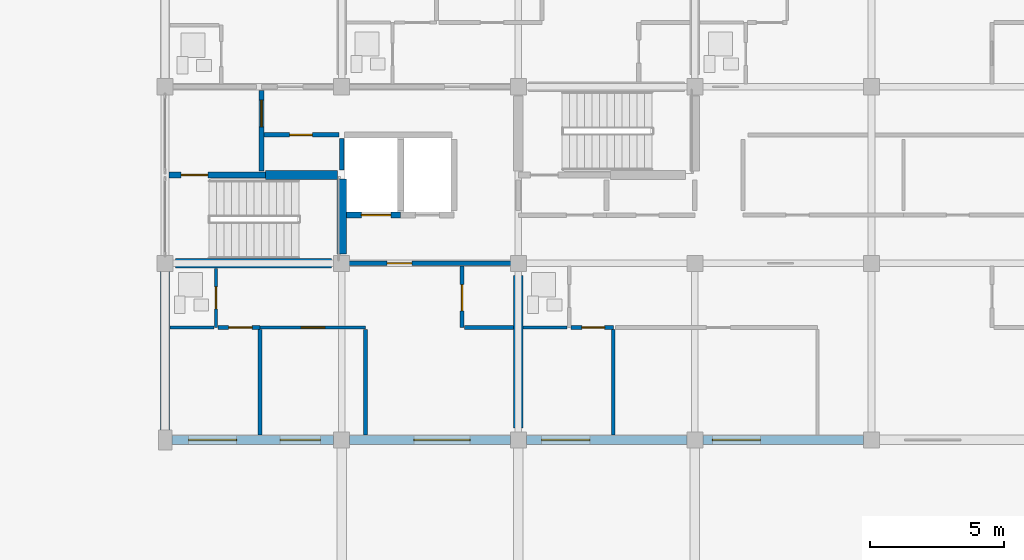
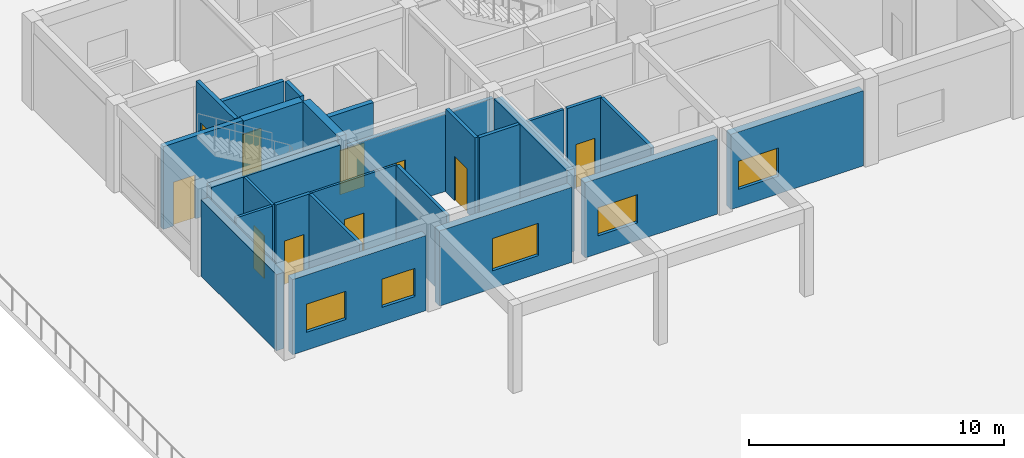
# One storey, part 71 of 92: 26 walls, 10 doors, 5 windows, 15 openings.
"""IFC4 building model written with IfcOpenShell, lengths in metres."""

from ifc_helpers import new_model, si_unit, direction, frame, frame_2d, origin, place, context, subcontext, project, spatial, rectangle, extrude, material, layer, layer_set, type_object, element, fill, save


model = new_model("IFC4")

# Units and contexts
model_context = context("Model", 3, precision=1e-05, world=origin(), true_north=direction((0.0, 1.0)))
body_context = subcontext(model_context, "Body", "Model", "MODEL_VIEW")
ifc_project = project(units=[si_unit("LENGTHUNIT", "METRE"), si_unit("AREAUNIT", "SQUARE_METRE"), si_unit("VOLUMEUNIT", "CUBIC_METRE"), si_unit("PLANEANGLEUNIT", "RADIAN"), si_unit("MASSUNIT", "GRAM", prefix="KILO")], contexts=[model_context])

# Site, building, storey
site_placement = place(None, origin())
site = spatial("IfcSite", under=ifc_project, at=site_placement, CompositionType="ELEMENT")
building_placement = place(site_placement, origin())
building = spatial("IfcBuilding", under=site, at=building_placement, Name="Kernevlak Ridge Housing Community", CompositionType="ELEMENT")
storey_placement = place(building_placement, frame((0.0, 0.0, 4.199951171875)))
storey = spatial("IfcBuildingStorey", under=building, at=storey_placement, Name="L01", CompositionType="ELEMENT", Elevation=4.199951171875)

# Wall, openings, windows
ifc_material_1 = material(Name="Concrete block masonry M10", Category="masonry")
ifc_layer_1 = layer(ifc_material_1, 0.340087890625, Name="Concrete block masonry M10")
ifc_layer_set_1 = layer_set([ifc_layer_1], Name="Concrete block masonry M10")
wall_type_1 = type_object("IfcWallType", Name="EW-04", PredefinedType="STANDARD", material=ifc_layer_set_1)
wall_1_placement = place(storey_placement, frame((15.85009765625, 76.0, 0.0), z_axis=(0.0, 0.0, 1.0), x_axis=(1.0, 0.0, 0.0)))
wall_1 = element("IfcWall", 1, at=wall_1_placement, inside=storey, type_object=wall_type_1, Name="Exterior wall EW-04 L01 15", PredefinedType="STANDARD", context=body_context, shape_type="SweptSolid", body=[
    extrude(rectangle(XDim=6.0498046875, YDim=0.340087890625, at=frame_2d((3.02490234375, 0.0))), origin(), (0.0, 0.0, 1.0), 3.60009765625),
])
opening_1_placement = place(wall_1_placement, frame((0.625, 0.0, 0.85009765625)))
opening_1 = element("IfcOpeningElement", 2, at=opening_1_placement, cuts=wall_1, Name="Opening WT-03", PredefinedType="OPENING", context=body_context, shape_type="SweptSolid", body=[
    extrude(rectangle(XDim=1.800048828125, YDim=1.35009765625, at=frame_2d((0.89990234375, 0.675048828125))), frame((0.0, 0.179931640625, 0.0), z_axis=(0.0, -1.0, 0.0), x_axis=(1.0, 0.0, 0.0)), (0.0, 0.0, 1.0), 0.360107421875),
])
opening_2_placement = place(wall_1_placement, frame((4.050048828125, 0.0, 0.85009765625)))
opening_2 = element("IfcOpeningElement", 3, at=opening_2_placement, cuts=wall_1, Name="Opening WT-02", PredefinedType="OPENING", context=body_context, shape_type="SweptSolid", body=[
    extrude(rectangle(XDim=1.5, YDim=1.35009765625, at=frame_2d((0.75, 0.675048828125))), frame((0.0, 0.179931640625, 0.0), z_axis=(0.0, -1.0, 0.0), x_axis=(1.0, 0.0, 0.0)), (0.0, 0.0, 1.0), 0.360107421875),
])
ifc_material_2 = material(Name="Aluminium EN AW-6060 anodised and laminated glass", Category="aluminium")
window_type_1 = type_object("IfcWindowType", Name="WT-02", PartitioningType="SINGLE_PANEL", PredefinedType="WINDOW", material=ifc_material_2)
window_1_placement = place(opening_2_placement, origin())
window_1 = element("IfcWindow", 4, at=window_1_placement, inside=storey, type_object=window_type_1, Name="Window WT-02 L01 11", OverallHeight=1.35009765625, OverallWidth=1.5, PartitioningType="SINGLE_PANEL", PredefinedType="WINDOW", context=body_context, shape_type="SweptSolid", body=[
    extrude(rectangle(XDim=1.5, YDim=1.35009765625, at=frame_2d((0.75, 0.675048828125))), frame((0.0, 0.030029296875, 0.0), z_axis=(0.0, -1.0, 0.0), x_axis=(1.0, 0.0, 0.0)), (0.0, 0.0, 1.0), 0.06005859375),
])
fill(opening_2, window_1)
window_type_2 = type_object("IfcWindowType", Name="WT-03", PartitioningType="SINGLE_PANEL", PredefinedType="WINDOW", material=ifc_material_2)
window_2_placement = place(opening_1_placement, origin())
window_2 = element("IfcWindow", 5, at=window_2_placement, inside=storey, type_object=window_type_2, Name="Window WT-03 L01 10", OverallHeight=1.35009765625, OverallWidth=1.800048828125, PartitioningType="SINGLE_PANEL", PredefinedType="WINDOW", context=body_context, shape_type="SweptSolid", body=[
    extrude(rectangle(XDim=1.800048828125, YDim=1.35009765625, at=frame_2d((0.89990234375, 0.675048828125))), frame((0.0, 0.030029296875, 0.0), z_axis=(0.0, -1.0, 0.0), x_axis=(1.0, 0.0, 0.0)), (0.0, 0.0, 1.0), 0.06005859375),
])
fill(opening_1, window_2)

# Wall, opening, window
wall_2_placement = place(storey_placement, frame((22.5, 76.0, 0.0), z_axis=(0.0, 0.0, 1.0), x_axis=(1.0, 0.0, 0.0)))
wall_2 = element("IfcWall", 6, at=wall_2_placement, inside=storey, type_object=wall_type_1, Name="Exterior wall EW-04 L01 16", PredefinedType="STANDARD", context=body_context, shape_type="SweptSolid", body=[
    extrude(rectangle(XDim=6.0, YDim=0.340087890625, at=frame_2d((3.0, 0.0))), origin(), (0.0, 0.0, 1.0), 3.60009765625),
])
opening_3_placement = place(wall_2_placement, frame((2.39599609375, 0.0, 0.85009765625)))
opening_3 = element("IfcOpeningElement", 7, at=opening_3_placement, cuts=wall_2, Name="Opening WT-05", PredefinedType="OPENING", context=body_context, shape_type="SweptSolid", body=[
    extrude(rectangle(XDim=2.10009765625, YDim=1.550048828125, at=frame_2d((1.050048828125, 0.77490234375))), frame((0.0, 0.179931640625, 0.0), z_axis=(0.0, -1.0, 0.0), x_axis=(1.0, 0.0, 0.0)), (0.0, 0.0, 1.0), 0.360107421875),
])
window_type_3 = type_object("IfcWindowType", Name="WT-05", PartitioningType="SINGLE_PANEL", PredefinedType="WINDOW", material=ifc_material_2)
window_3_placement = place(opening_3_placement, origin())
window_3 = element("IfcWindow", 8, at=window_3_placement, inside=storey, type_object=window_type_3, Name="Window WT-05 L01 12", OverallHeight=1.550048828125, OverallWidth=2.10009765625, PartitioningType="SINGLE_PANEL", PredefinedType="WINDOW", context=body_context, shape_type="SweptSolid", body=[
    extrude(rectangle(XDim=2.10009765625, YDim=1.550048828125, at=frame_2d((1.050048828125, 0.77490234375))), frame((0.0, 0.030029296875, 0.0), z_axis=(0.0, -1.0, 0.0), x_axis=(1.0, 0.0, 0.0)), (0.0, 0.0, 1.0), 0.06005859375),
])
fill(opening_3, window_3)

wall_3_placement = place(storey_placement, frame((29.10009765625, 76.0, 0.0), z_axis=(0.0, 0.0, 1.0), x_axis=(1.0, 0.0, 0.0)))
wall_3 = element("IfcWall", 9, at=wall_3_placement, inside=storey, type_object=wall_type_1, Name="Exterior wall EW-04 L01 17", PredefinedType="STANDARD", context=body_context, shape_type="SweptSolid", body=[
    extrude(rectangle(XDim=6.0, YDim=0.340087890625, at=frame_2d((3.0, 0.0))), origin(), (0.0, 0.0, 1.0), 3.60009765625),
])
opening_4_placement = place(wall_3_placement, frame((0.574951171875, 0.0, 0.85009765625)))
opening_4 = element("IfcOpeningElement", 10, at=opening_4_placement, cuts=wall_3, Name="Opening WT-03", PredefinedType="OPENING", context=body_context, shape_type="SweptSolid", body=[
    extrude(rectangle(XDim=1.800048828125, YDim=1.35009765625, at=frame_2d((0.89990234375, 0.675048828125))), frame((0.0, 0.179931640625, 0.0), z_axis=(0.0, -1.0, 0.0), x_axis=(1.0, 0.0, 0.0)), (0.0, 0.0, 1.0), 0.360107421875),
])
window_4_placement = place(opening_4_placement, origin())
window_4 = element("IfcWindow", 11, at=window_4_placement, inside=storey, type_object=window_type_2, Name="Window WT-03 L01 13", OverallHeight=1.35009765625, OverallWidth=1.800048828125, PartitioningType="SINGLE_PANEL", PredefinedType="WINDOW", context=body_context, shape_type="SweptSolid", body=[
    extrude(rectangle(XDim=1.800048828125, YDim=1.35009765625, at=frame_2d((0.89990234375, 0.675048828125))), frame((0.0, 0.030029296875, 0.0), z_axis=(0.0, -1.0, 0.0), x_axis=(1.0, 0.0, 0.0)), (0.0, 0.0, 1.0), 0.06005859375),
])
fill(opening_4, window_4)

wall_4_placement = place(storey_placement, frame((35.699951171875, 76.0, 0.0), z_axis=(0.0, 0.0, 1.0), x_axis=(1.0, 0.0, 0.0)))
wall_4 = element("IfcWall", 12, at=wall_4_placement, inside=storey, type_object=wall_type_1, Name="Exterior wall EW-04 L01 18", PredefinedType="STANDARD", context=body_context, shape_type="SweptSolid", body=[
    extrude(rectangle(XDim=6.0, YDim=0.340087890625, at=frame_2d((3.0, 0.0))), origin(), (0.0, 0.0, 1.0), 3.60009765625),
])
opening_5_placement = place(wall_4_placement, frame((0.35009765625, 0.0, 0.85009765625)))
opening_5 = element("IfcOpeningElement", 13, at=opening_5_placement, cuts=wall_4, Name="Opening WT-03", PredefinedType="OPENING", context=body_context, shape_type="SweptSolid", body=[
    extrude(rectangle(XDim=1.800048828125, YDim=1.35009765625, at=frame_2d((0.89990234375, 0.675048828125))), frame((0.0, 0.179931640625, 0.0), z_axis=(0.0, -1.0, 0.0), x_axis=(1.0, 0.0, 0.0)), (0.0, 0.0, 1.0), 0.360107421875),
])
window_5_placement = place(opening_5_placement, origin())
window_5 = element("IfcWindow", 14, at=window_5_placement, inside=storey, type_object=window_type_2, Name="Window WT-03 L01 14", OverallHeight=1.35009765625, OverallWidth=1.800048828125, PartitioningType="SINGLE_PANEL", PredefinedType="WINDOW", context=body_context, shape_type="SweptSolid", body=[
    extrude(rectangle(XDim=1.800048828125, YDim=1.35009765625, at=frame_2d((0.89990234375, 0.675048828125))), frame((0.0, 0.030029296875, 0.0), z_axis=(0.0, -1.0, 0.0), x_axis=(1.0, 0.0, 0.0)), (0.0, 0.0, 1.0), 0.06005859375),
])
fill(opening_5, window_5)

# Wall
wall_5_placement = place(storey_placement, frame((15.60009765625, 76.375, 0.0), z_axis=(0.0, 0.0, 1.0), x_axis=(0.0, 1.0, 0.0)))
element("IfcWall", 15, at=wall_5_placement, inside=storey, type_object=wall_type_1, Name="Exterior wall EW-04 L01 25", PredefinedType="STANDARD", context=body_context, shape_type="SweptSolid", body=[
    extrude(rectangle(XDim=5.925048828125, YDim=0.340087890625, at=frame_2d((2.96240234375, 0.0))), origin(), (0.0, 0.0, 1.0), 3.650146484375),
])

# Wall, opening, door
ifc_material_3 = material(Name="Concrete C35/45", Category="concrete")
ifc_layer_2 = layer(ifc_material_3, 0.22509765625, Name="Concrete C35/45")
ifc_layer_set_2 = layer_set([ifc_layer_2], Name="Concrete C35/45")
wall_type_2 = type_object("IfcWallType", Name="PW-01", PredefinedType="STANDARD", material=ifc_layer_set_2)
wall_6_placement = place(storey_placement, frame((15.75, 85.89990234375, 0.0), z_axis=(0.0, 0.0, 1.0), x_axis=(1.0, 0.0, 0.0)))
wall_6 = element("IfcWall", 16, at=wall_6_placement, inside=storey, type_object=wall_type_2, Name="Interior wall PW-01 WAL-INT-L01-0073", PredefinedType="STANDARD", context=body_context, shape_type="SweptSolid", body=[
    extrude(rectangle(XDim=3.60009765625, YDim=0.22509765625, at=frame_2d((1.800048828125, 0.0))), origin(), (0.0, 0.0, 1.0), 3.9599609375),
])
opening_6_placement = place(wall_6_placement, frame((0.449951171875, 0.0, 0.0)))
opening_6 = element("IfcOpeningElement", 17, at=opening_6_placement, cuts=wall_6, Name="Opening D036", PredefinedType="OPENING", context=body_context, shape_type="SweptSolid", body=[
    extrude(rectangle(XDim=1.0, YDim=2.10009765625, at=frame_2d((0.5, 1.050048828125))), frame((0.0, 0.12255859375, 0.0), z_axis=(0.0, -1.0, 0.0), x_axis=(1.0, 0.0, 0.0)), (0.0, 0.0, 1.0), 0.2451171875),
])
ifc_material_4 = material(Name="Fire-rated sheet steel leaf", Category="steel")
door_type_1 = type_object("IfcDoorType", Name="DT-05", OperationType="NOTDEFINED", PredefinedType="DOOR", material=ifc_material_4)
door_1_placement = place(opening_6_placement, origin())
door_1 = element("IfcDoor", 18, at=door_1_placement, inside=storey, type_object=door_type_1, Name="Block A Stair 1 fire door D036", OperationType="SINGLE_SWING_RIGHT", OverallHeight=2.10009765625, OverallWidth=1.0, PredefinedType="DOOR", context=body_context, shape_type="SweptSolid", body=[
    extrude(rectangle(XDim=1.0, YDim=2.10009765625, at=frame_2d((0.5, 1.050048828125))), frame((0.0, 0.02490234375, 0.0), z_axis=(0.0, -1.0, 0.0), x_axis=(1.0, 0.0, 0.0)), (0.0, 0.0, 1.0), 0.050048828125),
])
fill(opening_6, door_1)

wall_7_placement = place(storey_placement, frame((22.385009765625, 84.39990234375, 0.0), z_axis=(0.0, 0.0, 1.0), x_axis=(1.0, 0.0, 0.0)))
wall_7 = element("IfcWall", 19, at=wall_7_placement, inside=storey, type_object=wall_type_2, Name="Interior wall PW-01 WAL-INT-L01-0077", PredefinedType="STANDARD", context=body_context, shape_type="SweptSolid", body=[
    extrude(rectangle(XDim=2.014892578125, YDim=0.22509765625, at=frame_2d((1.00732421875, 0.0))), origin(), (0.0, 0.0, 1.0), 3.9599609375),
])
opening_7_placement = place(wall_7_placement, frame((0.550048828125, 0.0, 0.0)))
opening_7 = element("IfcOpeningElement", 20, at=opening_7_placement, cuts=wall_7, Name="Opening LD04", PredefinedType="OPENING", context=body_context, shape_type="SweptSolid", body=[
    extrude(rectangle(XDim=1.10009765625, YDim=2.10009765625, at=frame_2d((0.550048828125, 1.050048828125))), frame((0.0, 0.12255859375, 0.0), z_axis=(0.0, -1.0, 0.0), x_axis=(1.0, 0.0, 0.0)), (0.0, 0.0, 1.0), 0.2451171875),
])
ifc_material_5 = material(Name="Stainless steel EN 1.4401", Category="steel")
door_type_2 = type_object("IfcDoorType", Name="DT-LD1", OperationType="DOUBLE_DOOR_SLIDING", PredefinedType="DOOR", material=ifc_material_5)
door_2_placement = place(opening_7_placement, origin())
door_2 = element("IfcDoor", 21, at=door_2_placement, inside=storey, type_object=door_type_2, Name="Lift LF-A1 landing door LD04", OperationType="DOUBLE_DOOR_SLIDING", OverallHeight=2.10009765625, OverallWidth=1.10009765625, PredefinedType="DOOR", context=body_context, shape_type="SweptSolid", body=[
    extrude(rectangle(XDim=1.10009765625, YDim=2.10009765625, at=frame_2d((0.550048828125, 1.050048828125))), frame((0.0, 0.02490234375, 0.0), z_axis=(0.0, -1.0, 0.0), x_axis=(1.0, 0.0, 0.0)), (0.0, 0.0, 1.0), 0.050048828125),
])
fill(opening_7, door_2)

ifc_layer_3 = layer(ifc_material_1, 0.175048828125, Name="Concrete block masonry M10")
ifc_layer_set_3 = layer_set([ifc_layer_3], Name="Concrete block masonry M10")
wall_type_3 = type_object("IfcWallType", Name="PW-02", PredefinedType="PARTITIONING", material=ifc_layer_set_3)
wall_8_placement = place(storey_placement, frame((19.199951171875, 86.050048828125, 0.0), z_axis=(0.0, 0.0, 1.0), x_axis=(0.0, 1.0, 0.0)))
wall_8 = element("IfcWall", 22, at=wall_8_placement, inside=storey, type_object=wall_type_3, Name="Interior wall PW-02 WAL-INT-L01-0074", PredefinedType="PARTITIONING", context=body_context, shape_type="SweptSolid", body=[
    extrude(rectangle(XDim=3.0, YDim=0.175048828125, at=frame_2d((1.5, 0.0))), origin(), (0.0, 0.0, 1.0), 3.9599609375),
])
opening_8_placement = place(wall_8_placement, frame((1.64990234375, 0.0, 0.0)))
opening_8 = element("IfcOpeningElement", 23, at=opening_8_placement, cuts=wall_8, Name="Opening D037", PredefinedType="OPENING", context=body_context, shape_type="SweptSolid", body=[
    extrude(rectangle(XDim=1.0, YDim=2.159912109375, at=frame_2d((0.5, 1.080078125))), frame((0.0, 0.097412109375, 0.0), z_axis=(0.0, -1.0, 0.0), x_axis=(1.0, 0.0, 0.0)), (0.0, 0.0, 1.0), 0.195068359375),
])
door_type_3 = type_object("IfcDoorType", Name="DT-15", OperationType="NOTDEFINED", PredefinedType="DOOR", material=ifc_material_4)
door_3_placement = place(opening_8_placement, origin())
door_3 = element("IfcDoor", 24, at=door_3_placement, inside=storey, type_object=door_type_3, Name="Block A Firefighting lobby 1 door D037", OperationType="SINGLE_SWING_LEFT", OverallHeight=2.159912109375, OverallWidth=1.0, PredefinedType="DOOR", context=body_context, shape_type="SweptSolid", body=[
    extrude(rectangle(XDim=1.0, YDim=2.159912109375, at=frame_2d((0.5, 1.080078125))), frame((0.0, 0.02490234375, 0.0), z_axis=(0.0, -1.0, 0.0), x_axis=(1.0, 0.0, 0.0)), (0.0, 0.0, 1.0), 0.050048828125),
])
fill(opening_8, door_3)

wall_9_placement = place(storey_placement, frame((19.300048828125, 87.39990234375, 0.0), z_axis=(0.0, 0.0, 1.0), x_axis=(1.0, 0.0, 0.0)))
wall_9 = element("IfcWall", 25, at=wall_9_placement, inside=storey, type_object=wall_type_3, Name="Interior wall PW-02 WAL-INT-L01-0075", PredefinedType="PARTITIONING", context=body_context, shape_type="SweptSolid", body=[
    extrude(rectangle(XDim=2.800048828125, YDim=0.175048828125, at=frame_2d((1.39990234375, 0.0))), origin(), (0.0, 0.0, 1.0), 3.9599609375),
])
opening_9_placement = place(wall_9_placement, frame((0.949951171875, 0.0, 0.0)))
opening_9 = element("IfcOpeningElement", 26, at=opening_9_placement, cuts=wall_9, Name="Opening D038", PredefinedType="OPENING", context=body_context, shape_type="SweptSolid", body=[
    extrude(rectangle(XDim=0.85009765625, YDim=2.0, at=frame_2d((0.425048828125, 1.0))), frame((0.0, 0.097412109375, 0.0), z_axis=(0.0, -1.0, 0.0), x_axis=(1.0, 0.0, 0.0)), (0.0, 0.0, 1.0), 0.195068359375),
])
door_type_4 = type_object("IfcDoorType", Name="DT-07", OperationType="NOTDEFINED", PredefinedType="DOOR", material=ifc_material_4)
door_4_placement = place(opening_9_placement, origin())
door_4 = element("IfcDoor", 27, at=door_4_placement, inside=storey, type_object=door_type_4, Name="Block A Riser shaft door D038", OperationType="SINGLE_SWING_RIGHT", OverallHeight=2.0, OverallWidth=0.85009765625, PredefinedType="DOOR", context=body_context, shape_type="SweptSolid", body=[
    extrude(rectangle(XDim=0.85009765625, YDim=2.0, at=frame_2d((0.425048828125, 1.0))), frame((0.0, 0.02490234375, 0.0), z_axis=(0.0, -1.0, 0.0), x_axis=(1.0, 0.0, 0.0)), (0.0, 0.0, 1.0), 0.050048828125),
])
fill(opening_9, door_4)

# Wall
wall_10_placement = place(storey_placement, frame((22.199951171875, 86.080078125, 0.0), z_axis=(0.0, 0.0, 1.0), x_axis=(0.0, 1.0, 0.0)))
element("IfcWall", 28, at=wall_10_placement, inside=storey, type_object=wall_type_3, Name="Interior wall PW-02 WAL-INT-L01-0076", PredefinedType="PARTITIONING", context=body_context, shape_type="SweptSolid", body=[
    extrude(rectangle(XDim=1.18994140625, YDim=0.175048828125, at=frame_2d((0.594970703125, 0.0))), origin(), (0.0, 0.0, 1.0), 3.9599609375),
])

# Wall, opening, door
wall_11_placement = place(storey_placement, frame((22.199951171875, 82.60009765625, 0.0), z_axis=(0.0, 0.0, 1.0), x_axis=(1.0, 0.0, 0.0)))
wall_11 = element("IfcWall", 29, at=wall_11_placement, inside=storey, type_object=wall_type_3, Name="Interior wall PW-02 WAL-INT-L01-0094", PredefinedType="PARTITIONING", context=body_context, shape_type="SweptSolid", body=[
    extrude(rectangle(XDim=6.60009765625, YDim=0.175048828125, at=frame_2d((3.300048828125, 0.0))), origin(), (0.0, 0.0, 1.0), 3.699951171875),
])
opening_10_placement = place(wall_11_placement, frame((1.699951171875, 0.0, 0.0)))
opening_10 = element("IfcOpeningElement", 30, at=opening_10_placement, cuts=wall_11, Name="Opening D044", PredefinedType="OPENING", context=body_context, shape_type="SweptSolid", body=[
    extrude(rectangle(XDim=0.919921875, YDim=2.139892578125, at=frame_2d((0.4599609375, 1.06982421875))), frame((0.0, 0.097412109375, 0.0), z_axis=(0.0, -1.0, 0.0), x_axis=(1.0, 0.0, 0.0)), (0.0, 0.0, 1.0), 0.195068359375),
])
ifc_material_6 = material(Name="Hardwood timber solid-core fire leaf", Category="wood")
door_type_5 = type_object("IfcDoorType", Name="DT-20", OperationType="NOTDEFINED", PredefinedType="DOOR", material=ifc_material_6)
door_5_placement = place(opening_10_placement, origin())
door_5 = element("IfcDoor", 31, at=door_5_placement, inside=storey, type_object=door_type_5, Name="Flat A0111 entrance fire door D044", OperationType="SINGLE_SWING_RIGHT", OverallHeight=2.139892578125, OverallWidth=0.919921875, PredefinedType="DOOR", context=body_context, shape_type="SweptSolid", body=[
    extrude(rectangle(XDim=0.919921875, YDim=2.139892578125, at=frame_2d((0.4599609375, 1.06982421875))), frame((0.0, 0.02490234375, 0.0), z_axis=(0.0, -1.0, 0.0), x_axis=(1.0, 0.0, 0.0)), (0.0, 0.0, 1.0), 0.050048828125),
])
fill(opening_10, door_5)

ifc_layer_4 = layer(ifc_material_1, 0.14501953125, Name="Concrete block masonry M10")
ifc_layer_set_4 = layer_set([ifc_layer_4], Name="Concrete block masonry M10")
wall_type_4 = type_object("IfcWallType", Name="PW-03", PredefinedType="PARTITIONING", material=ifc_layer_set_4)
wall_12_placement = place(storey_placement, frame((17.572509765625, 80.199951171875, 0.0), z_axis=(0.0, 0.0, 1.0), x_axis=(1.0, 0.0, 0.0)))
wall_12 = element("IfcWall", 32, at=wall_12_placement, inside=storey, type_object=wall_type_4, Name="Interior wall PW-03 WAL-INT-L01-0099", PredefinedType="PARTITIONING", context=body_context, shape_type="SweptSolid", body=[
    extrude(rectangle(XDim=1.577392578125, YDim=0.14501953125, at=frame_2d((0.78857421875, 0.0))), origin(), (0.0, 0.0, 1.0), 3.9599609375),
])
opening_11_placement = place(wall_12_placement, frame((0.39990234375, 0.0, 0.0)))
opening_11 = element("IfcOpeningElement", 33, at=opening_11_placement, cuts=wall_12, Name="Opening D047", PredefinedType="OPENING", context=body_context, shape_type="SweptSolid", body=[
    extrude(rectangle(XDim=0.8798828125, YDim=2.10009765625, at=frame_2d((0.43994140625, 1.050048828125))), frame((0.0, 0.08251953125, 0.0), z_axis=(0.0, -1.0, 0.0), x_axis=(1.0, 0.0, 0.0)), (0.0, 0.0, 1.0), 0.1650390625),
])
ifc_material_7 = material(Name="Hardwood timber leaf", Category="wood")
door_type_6 = type_object("IfcDoorType", Name="DT-25", OperationType="NOTDEFINED", PredefinedType="DOOR", material=ifc_material_7)
door_6_placement = place(opening_11_placement, origin())
door_6 = element("IfcDoor", 34, at=door_6_placement, inside=storey, type_object=door_type_6, Name="Flat A0111 bedroom door D047", OperationType="SINGLE_SWING_LEFT", OverallHeight=2.10009765625, OverallWidth=0.8798828125, PredefinedType="DOOR", context=body_context, shape_type="SweptSolid", body=[
    extrude(rectangle(XDim=0.8798828125, YDim=2.10009765625, at=frame_2d((0.43994140625, 1.050048828125))), frame((0.0, 0.02490234375, 0.0), z_axis=(0.0, -1.0, 0.0), x_axis=(1.0, 0.0, 0.0)), (0.0, 0.0, 1.0), 0.050048828125),
])
fill(opening_11, door_6)

# Walls
wall_13_placement = place(storey_placement, frame((19.14990234375, 80.117431640625, 0.0), z_axis=(0.0, 0.0, 1.0), x_axis=(0.0, -1.0, 0.0)))
element("IfcWall", 35, at=wall_13_placement, inside=storey, type_object=wall_type_4, Name="Interior wall PW-03 WAL-INT-L01-0100", PredefinedType="PARTITIONING", context=body_context, shape_type="SweptSolid", body=[
    extrude(rectangle(XDim=3.9375, YDim=0.14501953125, at=frame_2d((1.96875, 0.0))), origin(), (0.0, 0.0, 1.0), 3.9599609375),
])
wall_14_placement = place(storey_placement, frame((23.092041015625, 80.1201171875, 0.0), z_axis=(0.0, 0.0, 1.0), x_axis=(0.0, -1.0, 0.0)))
element("IfcWall", 36, at=wall_14_placement, inside=storey, type_object=wall_type_4, Name="Interior wall PW-03 WAL-INT-L01-0102", PredefinedType="PARTITIONING", context=body_context, shape_type="SweptSolid", body=[
    extrude(rectangle(XDim=3.940185546875, YDim=0.14501953125, at=frame_2d((1.97021484375, 0.0))), origin(), (0.0, 0.0, 1.0), 3.9599609375),
])

# Wall, opening, door
wall_15_placement = place(storey_placement, frame((30.7724609375, 80.199951171875, 0.0), z_axis=(0.0, 0.0, 1.0), x_axis=(1.0, 0.0, 0.0)))
wall_15 = element("IfcWall", 37, at=wall_15_placement, inside=storey, type_object=wall_type_4, Name="Interior wall PW-03 WAL-INT-L01-0108", PredefinedType="PARTITIONING", context=body_context, shape_type="SweptSolid", body=[
    extrude(rectangle(XDim=1.57763671875, YDim=0.14501953125, at=frame_2d((0.788818359375, 0.0))), origin(), (0.0, 0.0, 1.0), 3.9599609375),
])
opening_12_placement = place(wall_15_placement, frame((0.39990234375, 0.0, 0.0)))
opening_12 = element("IfcOpeningElement", 38, at=opening_12_placement, cuts=wall_15, Name="Opening D052", PredefinedType="OPENING", context=body_context, shape_type="SweptSolid", body=[
    extrude(rectangle(XDim=0.85009765625, YDim=2.10009765625, at=frame_2d((0.425048828125, 1.050048828125))), frame((0.0, 0.08251953125, 0.0), z_axis=(0.0, -1.0, 0.0), x_axis=(1.0, 0.0, 0.0)), (0.0, 0.0, 1.0), 0.1650390625),
])
door_type_7 = type_object("IfcDoorType", Name="DT-03", OperationType="NOTDEFINED", PredefinedType="DOOR", material=ifc_material_7)
door_7_placement = place(opening_12_placement, origin())
door_7 = element("IfcDoor", 39, at=door_7_placement, inside=storey, type_object=door_type_7, Name="Flat A0112 bedroom door D052", OperationType="SINGLE_SWING_RIGHT", OverallHeight=2.10009765625, OverallWidth=0.85009765625, PredefinedType="DOOR", context=body_context, shape_type="SweptSolid", body=[
    extrude(rectangle(XDim=0.85009765625, YDim=2.10009765625, at=frame_2d((0.425048828125, 1.050048828125))), frame((0.0, 0.02490234375, 0.0), z_axis=(0.0, -1.0, 0.0), x_axis=(1.0, 0.0, 0.0)), (0.0, 0.0, 1.0), 0.050048828125),
])
fill(opening_12, door_7)

# Wall
wall_16_placement = place(storey_placement, frame((32.35009765625, 80.117431640625, 0.0), z_axis=(0.0, 0.0, 1.0), x_axis=(0.0, -1.0, 0.0)))
element("IfcWall", 40, at=wall_16_placement, inside=storey, type_object=wall_type_4, Name="Interior wall PW-03 WAL-INT-L01-0109", PredefinedType="PARTITIONING", context=body_context, shape_type="SweptSolid", body=[
    extrude(rectangle(XDim=3.9375, YDim=0.14501953125, at=frame_2d((1.96875, 0.0))), origin(), (0.0, 0.0, 1.0), 3.9599609375),
])

# Wall, opening, door
ifc_material_8 = material(Name="Gypsum plasterboard EN 520", Category="gypsum")
ifc_layer_5 = layer(ifc_material_8, 0.125, Name="Gypsum plasterboard EN 520")
ifc_layer_set_5 = layer_set([ifc_layer_5], Name="Gypsum plasterboard EN 520")
wall_type_5 = type_object("IfcWallType", Name="PW-04", PredefinedType="PARTITIONING", material=ifc_layer_set_5)
wall_17_placement = place(storey_placement, frame((17.5, 82.4150390625, 0.0), z_axis=(0.0, 0.0, 1.0), x_axis=(0.0, -1.0, 0.0)))
wall_17 = element("IfcWall", 41, at=wall_17_placement, inside=storey, type_object=wall_type_5, Name="Interior wall PW-04 WAL-INT-L01-0095", PredefinedType="PARTITIONING", context=body_context, shape_type="SweptSolid", body=[
    extrude(rectangle(XDim=2.215087890625, YDim=0.125, at=frame_2d((1.107421875, 0.0))), origin(), (0.0, 0.0, 1.0), 3.9599609375),
])
opening_13_placement = place(wall_17_placement, frame((0.699951171875, 0.0, 0.0)))
opening_13 = element("IfcOpeningElement", 42, at=opening_13_placement, cuts=wall_17, Name="Opening D045", PredefinedType="OPENING", context=body_context, shape_type="SweptSolid", body=[
    extrude(rectangle(XDim=0.820068359375, YDim=2.050048828125, at=frame_2d((0.41015625, 1.02490234375))), frame((0.0, 0.072509765625, 0.0), z_axis=(0.0, -1.0, 0.0), x_axis=(1.0, 0.0, 0.0)), (0.0, 0.0, 1.0), 0.14501953125),
])
ifc_material_9 = material(Name="Hardwood timber moisture-resistant leaf", Category="wood")
door_type_8 = type_object("IfcDoorType", Name="DT-30", OperationType="NOTDEFINED", PredefinedType="DOOR", material=ifc_material_9)
door_8_placement = place(opening_13_placement, origin())
door_8 = element("IfcDoor", 43, at=door_8_placement, inside=storey, type_object=door_type_8, Name="Flat A0111 bathroom door D045", OperationType="SINGLE_SWING_LEFT", OverallHeight=2.050048828125, OverallWidth=0.820068359375, PredefinedType="DOOR", context=body_context, shape_type="SweptSolid", body=[
    extrude(rectangle(XDim=0.820068359375, YDim=2.050048828125, at=frame_2d((0.41015625, 1.02490234375))), frame((0.0, 0.02490234375, 0.0), z_axis=(0.0, -1.0, 0.0), x_axis=(1.0, 0.0, 0.0)), (0.0, 0.0, 1.0), 0.050048828125),
])
fill(opening_13, door_8)

# Walls
wall_18_placement = place(storey_placement, frame((15.780029296875, 80.199951171875, 0.0), z_axis=(0.0, 0.0, 1.0), x_axis=(1.0, 0.0, 0.0)))
element("IfcWall", 44, at=wall_18_placement, inside=storey, type_object=wall_type_5, Name="Interior wall PW-04 WAL-INT-L01-0096", PredefinedType="PARTITIONING", context=body_context, shape_type="SweptSolid", body=[
    extrude(rectangle(XDim=1.639892578125, YDim=0.125, at=frame_2d((0.81982421875, 0.0))), origin(), (0.0, 0.0, 1.0), 3.9599609375),
])
wall_19_placement = place(storey_placement, frame((28.985107421875, 80.199951171875, 0.0), z_axis=(0.0, 0.0, 1.0), x_axis=(1.0, 0.0, 0.0)))
element("IfcWall", 45, at=wall_19_placement, inside=storey, type_object=wall_type_5, Name="Interior wall PW-04 WAL-INT-L01-0105", PredefinedType="PARTITIONING", context=body_context, shape_type="SweptSolid", body=[
    extrude(rectangle(XDim=1.635009765625, YDim=0.125, at=frame_2d((0.8173828125, 0.0))), origin(), (0.0, 0.0, 1.0), 3.9599609375),
])

# Wall, opening, door
ifc_layer_6 = layer(ifc_material_8, 0.155029296875, Name="Gypsum plasterboard EN 520")
ifc_layer_set_6 = layer_set([ifc_layer_6], Name="Gypsum plasterboard EN 520")
wall_type_6 = type_object("IfcWallType", Name="PW-05", PredefinedType="PARTITIONING", material=ifc_layer_set_6)
wall_20_placement = place(storey_placement, frame((26.699951171875, 82.50244140625, 0.0), z_axis=(0.0, 0.0, 1.0), x_axis=(0.0, -1.0, 0.0)))
wall_20 = element("IfcWall", 46, at=wall_20_placement, inside=storey, type_object=wall_type_6, Name="Interior wall PW-05 WAL-INT-L01-0097", PredefinedType="PARTITIONING", context=body_context, shape_type="SweptSolid", body=[
    extrude(rectangle(XDim=2.302490234375, YDim=0.155029296875, at=frame_2d((1.1513671875, 0.0))), origin(), (0.0, 0.0, 1.0), 3.9599609375),
])
opening_14_placement = place(wall_20_placement, frame((0.699951171875, 0.0, 0.0)))
opening_14 = element("IfcOpeningElement", 47, at=opening_14_placement, cuts=wall_20, Name="Opening D046", PredefinedType="OPENING", context=body_context, shape_type="SweptSolid", body=[
    extrude(rectangle(XDim=0.97998046875, YDim=2.1201171875, at=frame_2d((0.489990234375, 1.06005859375))), frame((0.0, 0.08740234375, 0.0), z_axis=(0.0, -1.0, 0.0), x_axis=(1.0, 0.0, 0.0)), (0.0, 0.0, 1.0), 0.175048828125),
])
door_type_9 = type_object("IfcDoorType", Name="DT-24", OperationType="NOTDEFINED", PredefinedType="DOOR", material=ifc_material_7)
door_9_placement = place(opening_14_placement, origin())
door_9 = element("IfcDoor", 48, at=door_9_placement, inside=storey, type_object=door_type_9, Name="Flat A0111 kitchen door D046", OperationType="SINGLE_SWING_RIGHT", OverallHeight=2.1201171875, OverallWidth=0.97998046875, PredefinedType="DOOR", context=body_context, shape_type="SweptSolid", body=[
    extrude(rectangle(XDim=0.97998046875, YDim=2.1201171875, at=frame_2d((0.489990234375, 1.06005859375))), frame((0.0, 0.02490234375, 0.0), z_axis=(0.0, -1.0, 0.0), x_axis=(1.0, 0.0, 0.0)), (0.0, 0.0, 1.0), 0.050048828125),
])
fill(opening_14, door_9)

# Wall
wall_21_placement = place(storey_placement, frame((26.78759765625, 80.199951171875, 0.0), z_axis=(0.0, 0.0, 1.0), x_axis=(1.0, 0.0, 0.0)))
element("IfcWall", 49, at=wall_21_placement, inside=storey, type_object=wall_type_6, Name="Interior wall PW-05 WAL-INT-L01-0098", PredefinedType="PARTITIONING", context=body_context, shape_type="SweptSolid", body=[
    extrude(rectangle(XDim=1.827392578125, YDim=0.155029296875, at=frame_2d((0.91357421875, 0.0))), origin(), (0.0, 0.0, 1.0), 3.9599609375),
])

# Wall, opening, door
ifc_layer_7 = layer(ifc_material_8, 0.10498046875, Name="Gypsum plasterboard EN 520")
ifc_layer_set_7 = layer_set([ifc_layer_7], Name="Gypsum plasterboard EN 520")
wall_type_7 = type_object("IfcWallType", Name="PW-06", PredefinedType="PARTITIONING", material=ifc_layer_set_7)
wall_22_placement = place(storey_placement, frame((19.14990234375, 80.199951171875, 0.0), z_axis=(0.0, 0.0, 1.0), x_axis=(1.0, 0.0, 0.0)))
wall_22 = element("IfcWall", 50, at=wall_22_placement, inside=storey, type_object=wall_type_7, Name="Interior wall PW-06 WAL-INT-L01-0101", PredefinedType="PARTITIONING", context=body_context, shape_type="SweptSolid", body=[
    extrude(rectangle(XDim=3.942138671875, YDim=0.10498046875, at=frame_2d((1.97119140625, 0.0))), origin(), (0.0, 0.0, 1.0), 3.9599609375),
])
opening_15_placement = place(wall_22_placement, frame((1.5458984375, 0.0, 0.0)))
opening_15 = element("IfcOpeningElement", 51, at=opening_15_placement, cuts=wall_22, Name="Opening D048", PredefinedType="OPENING", context=body_context, shape_type="SweptSolid", body=[
    extrude(rectangle(XDim=0.8798828125, YDim=2.159912109375, at=frame_2d((0.43994140625, 1.080078125))), frame((0.0, 0.0625, 0.0), z_axis=(0.0, -1.0, 0.0), x_axis=(1.0, 0.0, 0.0)), (0.0, 0.0, 1.0), 0.125),
])
door_type_10 = type_object("IfcDoorType", Name="DT-26", OperationType="NOTDEFINED", PredefinedType="DOOR", material=ifc_material_7)
door_10_placement = place(opening_15_placement, origin())
door_10 = element("IfcDoor", 52, at=door_10_placement, inside=storey, type_object=door_type_10, Name="Flat A0111 bedroom door D048", OperationType="SINGLE_SWING_RIGHT", OverallHeight=2.159912109375, OverallWidth=0.8798828125, PredefinedType="DOOR", context=body_context, shape_type="SweptSolid", body=[
    extrude(rectangle(XDim=0.8798828125, YDim=2.159912109375, at=frame_2d((0.43994140625, 1.080078125))), frame((0.0, 0.02490234375, 0.0), z_axis=(0.0, -1.0, 0.0), x_axis=(1.0, 0.0, 0.0)), (0.0, 0.0, 1.0), 0.050048828125),
])
fill(opening_15, door_10)

# Walls
ifc_material_10 = material(Name="Concrete C40/50", Category="concrete")
ifc_layer_8 = layer(ifc_material_10, 0.35009765625, Name="Concrete C40/50")
ifc_layer_set_8 = layer_set([ifc_layer_8], Name="Concrete C40/50")
wall_type_8 = type_object("IfcWallType", Name="SW-01", PredefinedType="SHEAR", material=ifc_layer_set_8)
wall_23_placement = place(storey_placement, frame((15.97998046875, 82.60009765625, 0.0), z_axis=(0.0, 0.0, 1.0), x_axis=(1.0, 0.0, 0.0)))
element("IfcWall", 53, at=wall_23_placement, inside=storey, type_object=wall_type_8, Name="Shear wall SW-01 Block A L01 21", PredefinedType="SHEAR", context=body_context, shape_type="SweptSolid", body=[
    extrude(rectangle(XDim=5.840087890625, YDim=0.35009765625, at=frame_2d((2.919921875, 0.0))), origin(), (0.0, 0.0, 1.0), 3.9599609375),
])
wall_24_placement = place(storey_placement, frame((19.35009765625, 85.89990234375, 0.0), z_axis=(0.0, 0.0, 1.0), x_axis=(1.0, 0.0, 0.0)))
element("IfcWall", 54, at=wall_24_placement, inside=storey, type_object=wall_type_8, Name="Shear wall SW-01 Block A L01 22", PredefinedType="SHEAR", context=body_context, shape_type="SweptSolid", body=[
    extrude(rectangle(XDim=2.699951171875, YDim=0.35009765625, at=frame_2d((1.35009765625, 0.0))), origin(), (0.0, 0.0, 1.0), 3.9599609375),
])
wall_25_placement = place(storey_placement, frame((22.199951171875, 82.949951171875, 0.0), z_axis=(0.0, 0.0, 1.0), x_axis=(0.0, 1.0, 0.0)))
element("IfcWall", 55, at=wall_25_placement, inside=storey, type_object=wall_type_8, Name="Shear wall SW-01 Block A L01 23", PredefinedType="SHEAR", context=body_context, shape_type="SweptSolid", body=[
    extrude(rectangle(XDim=2.800048828125, YDim=0.35009765625, at=frame_2d((1.39990234375, 0.0))), origin(), (0.0, 0.0, 1.0), 3.9599609375),
])
wall_26_placement = place(storey_placement, frame((28.800048828125, 76.449951171875, 0.0), z_axis=(0.0, 0.0, 1.0), x_axis=(0.0, 1.0, 0.0)))
element("IfcWall", 56, at=wall_26_placement, inside=storey, type_object=wall_type_8, Name="Shear wall SW-01 Block A L01 28", PredefinedType="SHEAR", context=body_context, shape_type="SweptSolid", body=[
    extrude(rectangle(XDim=5.699951171875, YDim=0.35009765625, at=frame_2d((2.85009765625, 0.0))), origin(), (0.0, 0.0, 1.0), 3.9599609375),
])

save(model, "model.ifc")
